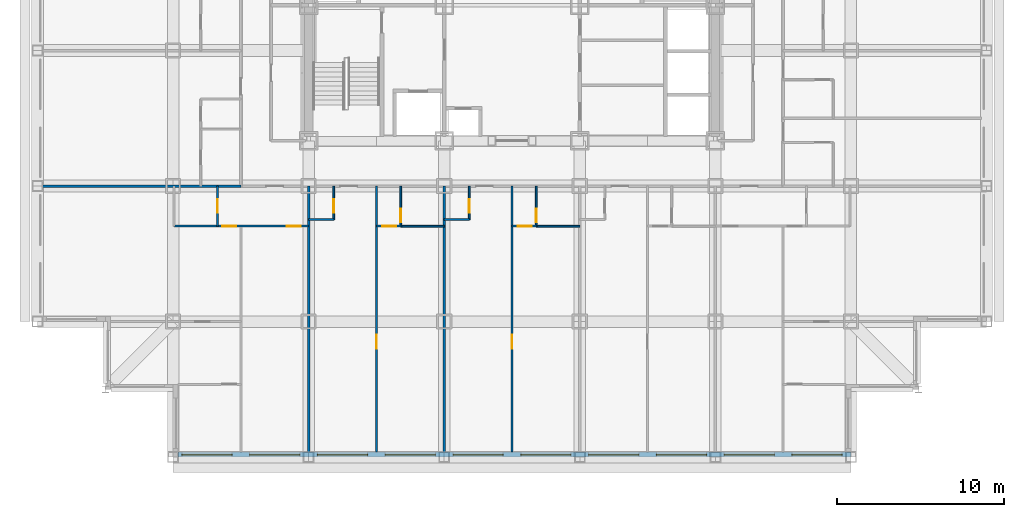
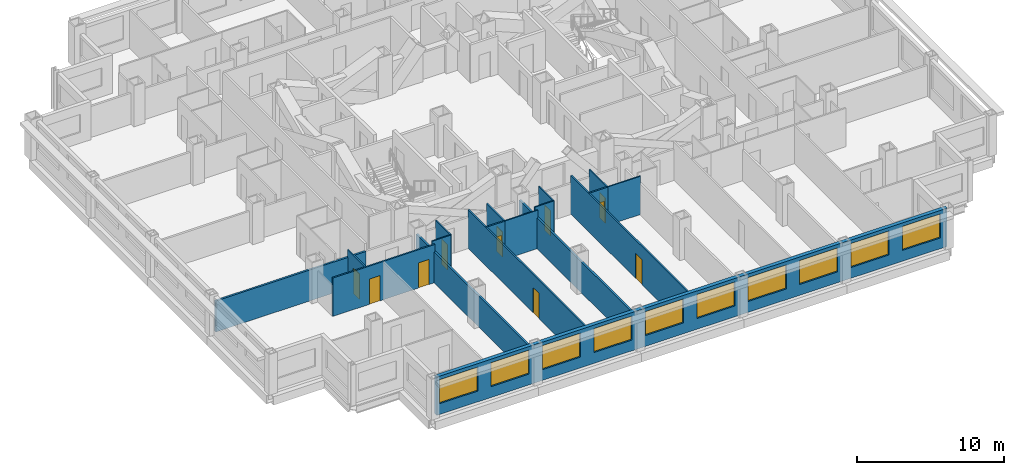
# One storey, part 4 of 12: 18 walls, 11 doors, 10 windows, 21 openings.
"""IFC4 building model written with IfcOpenShell, lengths in metres."""

import ifcopenshell
import ifcopenshell.guid

model = None  # the IFC model being written
_history = None  # IfcOwnerHistory: only IFC2X3 demands one
_inside = {}  # id of a spatial element -> (the spatial element, [elements in it])
_under = {}  # id of a project, library or spatial element -> (it, [spatial elements below it])
_declared = {}  # id of a project -> (the project, [libraries it declares])
_typed = {}  # id of a type object -> (the type object, [elements of that type])
_made_of = {}  # id of a material, layer set ... -> (it, [elements and type objects made of it])


def new_model(schema):
    """Start an empty IFC model of exactly this schema.

    Asked for "IFC4X3", IfcOpenShell would pick the latest addendum, in which some entities
    have other attributes; the version numbers below select the first issue.
    IFC2X3 requires an IfcOwnerHistory on every rooted entity: one is made here for all.
    """
    global model, _history
    if schema == "IFC4X3":
        model = ifcopenshell.file(schema_version=(4, 3, 0, 0))
    else:
        model = ifcopenshell.file(schema=schema)
    _inside.clear()
    _under.clear()
    _declared.clear()
    _typed.clear()
    _made_of.clear()
    _history = None
    if model.schema == "IFC2X3":
        org = make("IfcOrganization", Name="unknown")
        user = make(
            "IfcPersonAndOrganization",
            ThePerson=make("IfcPerson", FamilyName="unknown"),
            TheOrganization=org,
        )
        app = make(
            "IfcApplication",
            ApplicationDeveloper=org,
            Version="unknown",
            ApplicationFullName="unknown",
            ApplicationIdentifier="unknown",
        )
        _history = make(
            "IfcOwnerHistory",
            OwningUser=user,
            OwningApplication=app,
            ChangeAction="ADDED",
            CreationDate=0,
        )
    return model


def make(cls, **values):
    """One entity of the class cls with the attributes given. An attribute that is None is left unset."""
    return model.create_entity(
        cls, **{name: value for name, value in values.items() if value is not None}
    )


def rooted(cls, **values):
    """An entity with a GlobalId (a new one), such as an element, a storey or a relation."""
    return make(cls, GlobalId=ifcopenshell.guid.new(), OwnerHistory=_history, **values)


def si_unit(unit_type, name, prefix=None):
    """IfcSIUnit, for example si_unit("LENGTHUNIT", "METRE", prefix="MILLI")."""
    return make("IfcSIUnit", UnitType=unit_type, Prefix=prefix, Name=name)


def assignment(units):
    """IfcUnitAssignment: the units of a project."""
    return None if units is None else make("IfcUnitAssignment", Units=units)


def point(xyz):
    """IfcCartesianPoint."""
    return None if xyz is None else make("IfcCartesianPoint", Coordinates=xyz)


def direction(xyz):
    """IfcDirection."""
    return None if xyz is None else make("IfcDirection", DirectionRatios=xyz)


def frame(location, z_axis=None, x_axis=None):
    """IfcAxis2Placement3D, a coordinate frame: its origin and axes. An axis left out is left unset."""
    return make(
        "IfcAxis2Placement3D",
        Location=point(location),
        Axis=direction(z_axis),
        RefDirection=direction(x_axis),
    )


def frame_2d(location, x_axis=None):
    """IfcAxis2Placement2D, a coordinate frame in the plane: its origin and x axis."""
    return make(
        "IfcAxis2Placement2D", Location=point(location), RefDirection=direction(x_axis)
    )


def origin():
    """The frame at (0, 0, 0) with its axes left unset."""
    return frame((0.0, 0.0, 0.0))


def place(relative_to, where):
    """IfcLocalPlacement: puts the frame where relative to a parent placement (None: the world)."""
    return make(
        "IfcLocalPlacement", PlacementRelTo=relative_to, RelativePlacement=where
    )


def context(
    kind, dimensions, precision=None, world=None, true_north=None, identifier=None
):
    """IfcGeometricRepresentationContext, for example the 3D "Model" context."""
    return make(
        "IfcGeometricRepresentationContext",
        ContextIdentifier=identifier,
        ContextType=kind,
        CoordinateSpaceDimension=dimensions,
        Precision=precision,
        WorldCoordinateSystem=world,
        TrueNorth=true_north,
    )


def subcontext(parent, identifier, kind, view, scale=None):
    """IfcGeometricRepresentationSubContext, for example "Body" below "Model"."""
    return make(
        "IfcGeometricRepresentationSubContext",
        ContextIdentifier=identifier,
        ContextType=kind,
        ParentContext=parent,
        TargetScale=scale,
        TargetView=view,
    )


def project(units=None, contexts=None):
    """IfcProject with its units and contexts."""
    return rooted(
        "IfcProject",
        Name="project",
        RepresentationContexts=contexts,
        UnitsInContext=assignment(units),
    )


def spatial(cls, under=None, at=None, **own):
    """A site, building, storey or space (cls), placed at a placement, below another one or the project."""
    s = rooted(cls, ObjectPlacement=at, **own)
    if under is not None:
        _under.setdefault(under.id(), (under, []))[1].append(s)
    return s


def profile(cls, at=None, kind="AREA", **sizes):
    """A parametric profile (cls). Its sizes go by their IFC names, for example OverallWidth=200.0."""
    return make(cls, ProfileType=kind, Position=at, **sizes)


def rectangle(**sizes):
    """IfcRectangleProfileDef."""
    return profile("IfcRectangleProfileDef", **sizes)


def extrude(swept, where, along, depth):
    """IfcExtrudedAreaSolid: the profile swept, set in the frame where, extruded along a direction by depth."""
    return make(
        "IfcExtrudedAreaSolid",
        SweptArea=swept,
        Position=where,
        ExtrudedDirection=direction(along),
        Depth=depth,
    )


def shape(context_of_items, identifier, shape_type, items):
    """IfcShapeRepresentation: the items that make up one representation, for example the "Body"."""
    return make(
        "IfcShapeRepresentation",
        ContextOfItems=context_of_items,
        RepresentationIdentifier=identifier,
        RepresentationType=shape_type,
        Items=items,
    )


def material(Name=None, Category=None):
    """IfcMaterial."""
    return make("IfcMaterial", Name=Name, Category=Category)


def layer(
    of_material, thickness, ventilated=None, Name=None, Category=None, Priority=None
):
    """IfcMaterialLayer: one layer of a wall or slab, of a material (None: an air gap)."""
    return make(
        "IfcMaterialLayer",
        Material=of_material,
        LayerThickness=thickness,
        IsVentilated=ventilated,
        Name=Name,
        Category=Category,
        Priority=Priority,
    )


def layer_set(layers, Name=None):
    """IfcMaterialLayerSet."""
    return make("IfcMaterialLayerSet", MaterialLayers=layers, LayerSetName=Name)


def made_of(thing, what):
    """Note that an element or type object is made of a material, layer set ...; save() writes the relation."""
    if what is not None:
        _made_of.setdefault(what.id(), (what, []))[1].append(thing)
    return thing


def type_object(cls, material=None, **own):
    """A type object (cls), such as IfcWallType, which elements share."""
    return made_of(rooted(cls, **own), material)


def element(
    cls,
    number,
    at=None,
    inside=None,
    cuts=None,
    type_object=None,
    material=None,
    context=None,
    identifier="Body",
    shape_type=None,
    held_by="IfcProductDefinitionShape",
    body=None,
    shapes=None,
    **own,
):
    """One element of the class cls, such as IfcWall. Its Tag is "e" and its number.

    at: its placement. inside: the storey or other place that contains it. cuts: it is an
    opening in that element (IfcRelVoidsElement). A single representation is given by context,
    identifier, shape_type and body (its items); several are given by shapes. held_by: the class
    of the entity that holds the representations. save() writes the other relations.
    """
    e = rooted(cls, Tag="e%d" % number, ObjectPlacement=at, **own)
    if body is not None:
        shapes = [shape(context, identifier, shape_type, body)]
    if shapes is not None:
        e.Representation = make(held_by, Representations=shapes)
    if inside is not None:
        _inside.setdefault(inside.id(), (inside, []))[1].append(e)
    if cuts is not None:
        rooted(
            "IfcRelVoidsElement", RelatingBuildingElement=cuts, RelatedOpeningElement=e
        )
    if type_object is not None:
        _typed.setdefault(type_object.id(), (type_object, []))[1].append(e)
    return made_of(e, material)


def fill(opening, filler):
    """IfcRelFillsElement: the door or window that sits in an opening."""
    return rooted(
        "IfcRelFillsElement",
        RelatingOpeningElement=opening,
        RelatedBuildingElement=filler,
    )


def aggregate(whole, parts):
    """IfcRelAggregates: a whole, such as a stair, and the parts it consists of."""
    return rooted("IfcRelAggregates", RelatingObject=whole, RelatedObjects=parts)


def save(model, path):
    """Write the relations noted so far, then the file.

    IfcRelAggregates (storeys below a building ...), IfcRelContainedInSpatialStructure (elements
    in a storey), IfcRelDefinesByType, IfcRelAssociatesMaterial and IfcRelDeclares: one each for
    every whole, place, type object, material and project.
    """
    for whole, parts in _under.values():
        aggregate(whole, parts)
    for where, things in _inside.values():
        rooted(
            "IfcRelContainedInSpatialStructure",
            RelatedElements=things,
            RelatingStructure=where,
        )
    for kind, things in _typed.values():
        rooted("IfcRelDefinesByType", RelatedObjects=things, RelatingType=kind)
    for what, things in _made_of.values():
        rooted("IfcRelAssociatesMaterial", RelatedObjects=things, RelatingMaterial=what)
    for by, libraries in _declared.values():
        rooted("IfcRelDeclares", RelatingContext=by, RelatedDefinitions=libraries)
    model.write(path)


model = new_model("IFC4")

# Units and contexts
model_context = context("Model", 3, precision=1e-05, world=origin(), true_north=direction((0.0, 1.0)))
body_context = subcontext(model_context, "Body", "Model", "MODEL_VIEW")
ifc_project = project(units=[si_unit("LENGTHUNIT", "METRE"), si_unit("AREAUNIT", "SQUARE_METRE"), si_unit("VOLUMEUNIT", "CUBIC_METRE"), si_unit("PLANEANGLEUNIT", "RADIAN"), si_unit("MASSUNIT", "GRAM", prefix="KILO")], contexts=[model_context])

# Site, building, storey
site_placement = place(None, origin())
site = spatial("IfcSite", under=ifc_project, at=site_placement, CompositionType="ELEMENT")
building_placement = place(site_placement, origin())
building = spatial("IfcBuilding", under=site, at=building_placement, Name="Kopane Lantern Tower", CompositionType="ELEMENT")
storey_placement = place(building_placement, frame((0.0, 0.0, 103.39990234375)))
storey = spatial("IfcBuildingStorey", under=building, at=storey_placement, Name="L25", CompositionType="ELEMENT", Elevation=103.39990234375)

# Wall, opening, door
ifc_material_1 = material(Name="Gypsum board on steel studs", Category="steel")
ifc_layer_1 = layer(ifc_material_1, 0.1201171875)
ifc_layer_set_1 = layer_set([ifc_layer_1], Name="APARTMENT INTERNAL WALL 120")
wall_type_1 = type_object("IfcWallType", Name="APARTMENT INTERNAL WALL 120", PredefinedType="PARTITIONING", material=ifc_layer_set_1)
wall_1_placement = place(storey_placement, frame((20.25, 21.60009765625, 0.0), z_axis=(0.0, 0.0, 1.0), x_axis=(0.0, -1.0, 0.0)))
wall_1 = element("IfcWall", 1, at=wall_1_placement, inside=storey, type_object=wall_type_1, Name="Apartment Internal Wall 120 L25", PredefinedType="PARTITIONING", context=body_context, shape_type="SweptSolid", body=[
    extrude(rectangle(XDim=15.900146484375, YDim=0.1201171875, at=frame_2d((7.9501953125, 0.0))), origin(), (0.0, 0.0, 1.0), 3.190185546875),
])
opening_1_placement = place(wall_1_placement, frame((8.875, 0.0, 0.0)))
opening_1 = element("IfcOpeningElement", 2, at=opening_1_placement, cuts=wall_1, Name="Opening L25-012", PredefinedType="OPENING", context=body_context, shape_type="SweptSolid", body=[
    extrude(rectangle(XDim=0.85009765625, YDim=2.10009765625, at=frame_2d((0.425048828125, 1.050048828125))), frame((0.0, 0.070068359375, 0.0), z_axis=(0.0, -1.0, 0.0), x_axis=(1.0, 0.0, 0.0)), (0.0, 0.0, 1.0), 0.14013671875),
])
ifc_material_2 = material(Name="Timber door set", Category="wood")
door_type_1 = type_object("IfcDoorType", Name="DOOR D4 850x2100", OperationType="SINGLE_SWING_LEFT", PredefinedType="DOOR", material=ifc_material_2)
door_1_placement = place(opening_1_placement, origin())
door_1 = element("IfcDoor", 3, at=door_1_placement, inside=storey, type_object=door_type_1, Name="Door L25-012", OperationType="SINGLE_SWING_LEFT", OverallHeight=2.10009765625, OverallWidth=0.85009765625, PredefinedType="DOOR", context=body_context, shape_type="SweptSolid", body=[
    extrude(rectangle(XDim=0.85009765625, YDim=2.10009765625, at=frame_2d((0.425048828125, 1.050048828125))), frame((0.0, 0.02490234375, 0.0), z_axis=(0.0, -1.0, 0.0), x_axis=(1.0, 0.0, 0.0)), (0.0, 0.0, 1.0), 0.050048828125),
])
fill(opening_1, door_1)

wall_2_placement = place(storey_placement, frame((28.35009765625, 21.60009765625, 0.0), z_axis=(0.0, 0.0, 1.0), x_axis=(0.0, -1.0, 0.0)))
wall_2 = element("IfcWall", 4, at=wall_2_placement, inside=storey, type_object=wall_type_1, Name="Apartment Internal Wall 120 L25", PredefinedType="PARTITIONING", context=body_context, shape_type="SweptSolid", body=[
    extrude(rectangle(XDim=15.900146484375, YDim=0.1201171875, at=frame_2d((7.9501953125, 0.0))), origin(), (0.0, 0.0, 1.0), 3.190185546875),
])
opening_2_placement = place(wall_2_placement, frame((8.875, 0.0, 0.0)))
opening_2 = element("IfcOpeningElement", 5, at=opening_2_placement, cuts=wall_2, Name="Opening L25-016", PredefinedType="OPENING", context=body_context, shape_type="SweptSolid", body=[
    extrude(rectangle(XDim=0.85009765625, YDim=2.10009765625, at=frame_2d((0.425048828125, 1.050048828125))), frame((0.0, 0.070068359375, 0.0), z_axis=(0.0, -1.0, 0.0), x_axis=(1.0, 0.0, 0.0)), (0.0, 0.0, 1.0), 0.14013671875),
])
door_2_placement = place(opening_2_placement, origin())
door_2 = element("IfcDoor", 6, at=door_2_placement, inside=storey, type_object=door_type_1, Name="Door L25-016", OperationType="SINGLE_SWING_LEFT", OverallHeight=2.10009765625, OverallWidth=0.85009765625, PredefinedType="DOOR", context=body_context, shape_type="SweptSolid", body=[
    extrude(rectangle(XDim=0.85009765625, YDim=2.10009765625, at=frame_2d((0.425048828125, 1.050048828125))), frame((0.0, 0.02490234375, 0.0), z_axis=(0.0, -1.0, 0.0), x_axis=(1.0, 0.0, 0.0)), (0.0, 0.0, 1.0), 0.050048828125),
])
fill(opening_2, door_2)

# Wall, openings, doors
wall_3_placement = place(storey_placement, frame((8.14990234375, 19.199951171875, 0.0), z_axis=(0.0, 0.0, 1.0), x_axis=(1.0, 0.0, 0.0)))
wall_3 = element("IfcWall", 7, at=wall_3_placement, inside=storey, type_object=wall_type_1, Name="Apartment Internal Wall 120 L25", PredefinedType="PARTITIONING", context=body_context, shape_type="SweptSolid", body=[
    extrude(rectangle(XDim=8.050048828125, YDim=0.1201171875, at=frame_2d((4.02490234375, 0.0))), origin(), (0.0, 0.0, 1.0), 3.190185546875),
])
opening_3_placement = place(wall_3_placement, frame((6.72509765625, 0.0, 0.0)))
opening_3 = element("IfcOpeningElement", 8, at=opening_3_placement, cuts=wall_3, Name="Opening L25-050", PredefinedType="OPENING", context=body_context, shape_type="SweptSolid", body=[
    extrude(rectangle(XDim=0.85009765625, YDim=2.10009765625, at=frame_2d((0.425048828125, 1.050048828125))), frame((0.0, 0.070068359375, 0.0), z_axis=(0.0, -1.0, 0.0), x_axis=(1.0, 0.0, 0.0)), (0.0, 0.0, 1.0), 0.14013671875),
])
opening_4_placement = place(wall_3_placement, frame((2.875, 0.0, 0.0)))
opening_4 = element("IfcOpeningElement", 9, at=opening_4_placement, cuts=wall_3, Name="Opening L25-052", PredefinedType="OPENING", context=body_context, shape_type="SweptSolid", body=[
    extrude(rectangle(XDim=0.85009765625, YDim=2.10009765625, at=frame_2d((0.425048828125, 1.050048828125))), frame((0.0, 0.070068359375, 0.0), z_axis=(0.0, -1.0, 0.0), x_axis=(1.0, 0.0, 0.0)), (0.0, 0.0, 1.0), 0.14013671875),
])
door_3_placement = place(opening_3_placement, origin())
door_3 = element("IfcDoor", 10, at=door_3_placement, inside=storey, type_object=door_type_1, Name="Door L25-050", OperationType="SINGLE_SWING_RIGHT", OverallHeight=2.10009765625, OverallWidth=0.85009765625, PredefinedType="DOOR", context=body_context, shape_type="SweptSolid", body=[
    extrude(rectangle(XDim=0.85009765625, YDim=2.10009765625, at=frame_2d((0.425048828125, 1.050048828125))), frame((0.0, 0.02490234375, 0.0), z_axis=(0.0, -1.0, 0.0), x_axis=(1.0, 0.0, 0.0)), (0.0, 0.0, 1.0), 0.050048828125),
])
fill(opening_3, door_3)
door_4_placement = place(opening_4_placement, origin())
door_4 = element("IfcDoor", 11, at=door_4_placement, inside=storey, type_object=door_type_1, Name="Door L25-052", OperationType="SINGLE_SWING_LEFT", OverallHeight=2.10009765625, OverallWidth=0.85009765625, PredefinedType="DOOR", context=body_context, shape_type="SweptSolid", body=[
    extrude(rectangle(XDim=0.85009765625, YDim=2.10009765625, at=frame_2d((0.425048828125, 1.050048828125))), frame((0.0, 0.02490234375, 0.0), z_axis=(0.0, -1.0, 0.0), x_axis=(1.0, 0.0, 0.0)), (0.0, 0.0, 1.0), 0.050048828125),
])
fill(opening_4, door_4)

# Wall, opening, door
wall_4_placement = place(storey_placement, frame((21.7099609375, 19.199951171875, 0.0), z_axis=(0.0, 0.0, 1.0), x_axis=(-1.0, 0.0, 0.0)))
wall_4 = element("IfcWall", 12, at=wall_4_placement, inside=storey, type_object=wall_type_1, Name="Apartment Internal Wall 120 L25", PredefinedType="PARTITIONING", context=body_context, shape_type="SweptSolid", body=[
    extrude(rectangle(XDim=1.4599609375, YDim=0.1201171875, at=frame_2d((0.72998046875, 0.0))), origin(), (0.0, 0.0, 1.0), 3.190185546875),
])
opening_5_placement = place(wall_4_placement, frame((0.27490234375, 0.0, 0.0)))
opening_5 = element("IfcOpeningElement", 13, at=opening_5_placement, cuts=wall_4, Name="Opening L25-067", PredefinedType="OPENING", context=body_context, shape_type="SweptSolid", body=[
    extrude(rectangle(XDim=0.85009765625, YDim=2.10009765625, at=frame_2d((0.425048828125, 1.050048828125))), frame((0.0, 0.070068359375, 0.0), z_axis=(0.0, -1.0, 0.0), x_axis=(1.0, 0.0, 0.0)), (0.0, 0.0, 1.0), 0.14013671875),
])
door_5_placement = place(opening_5_placement, origin())
door_5 = element("IfcDoor", 14, at=door_5_placement, inside=storey, type_object=door_type_1, Name="Door L25-067", OperationType="SINGLE_SWING_RIGHT", OverallHeight=2.10009765625, OverallWidth=0.85009765625, PredefinedType="DOOR", context=body_context, shape_type="SweptSolid", body=[
    extrude(rectangle(XDim=0.85009765625, YDim=2.10009765625, at=frame_2d((0.425048828125, 1.050048828125))), frame((0.0, 0.02490234375, 0.0), z_axis=(0.0, -1.0, 0.0), x_axis=(1.0, 0.0, 0.0)), (0.0, 0.0, 1.0), 0.050048828125),
])
fill(opening_5, door_5)

wall_5_placement = place(storey_placement, frame((29.81005859375, 19.199951171875, 0.0), z_axis=(0.0, 0.0, 1.0), x_axis=(-1.0, 0.0, 0.0)))
wall_5 = element("IfcWall", 15, at=wall_5_placement, inside=storey, type_object=wall_type_1, Name="Apartment Internal Wall 120 L25", PredefinedType="PARTITIONING", context=body_context, shape_type="SweptSolid", body=[
    extrude(rectangle(XDim=1.4599609375, YDim=0.1201171875, at=frame_2d((0.72998046875, 0.0))), origin(), (0.0, 0.0, 1.0), 3.190185546875),
])
opening_6_placement = place(wall_5_placement, frame((0.27490234375, 0.0, 0.0)))
opening_6 = element("IfcOpeningElement", 16, at=opening_6_placement, cuts=wall_5, Name="Opening L25-068", PredefinedType="OPENING", context=body_context, shape_type="SweptSolid", body=[
    extrude(rectangle(XDim=0.85009765625, YDim=2.10009765625, at=frame_2d((0.425048828125, 1.050048828125))), frame((0.0, 0.070068359375, 0.0), z_axis=(0.0, -1.0, 0.0), x_axis=(1.0, 0.0, 0.0)), (0.0, 0.0, 1.0), 0.14013671875),
])
door_6_placement = place(opening_6_placement, origin())
door_6 = element("IfcDoor", 17, at=door_6_placement, inside=storey, type_object=door_type_1, Name="Door L25-068", OperationType="SINGLE_SWING_RIGHT", OverallHeight=2.10009765625, OverallWidth=0.85009765625, PredefinedType="DOOR", context=body_context, shape_type="SweptSolid", body=[
    extrude(rectangle(XDim=0.85009765625, YDim=2.10009765625, at=frame_2d((0.425048828125, 1.050048828125))), frame((0.0, 0.02490234375, 0.0), z_axis=(0.0, -1.0, 0.0), x_axis=(1.0, 0.0, 0.0)), (0.0, 0.0, 1.0), 0.050048828125),
])
fill(opening_6, door_6)

# Wall
ifc_material_3 = material(Name="Moisture-resistant board on steel studs", Category="steel")
ifc_layer_2 = layer(ifc_material_3, 0.10009765625)
ifc_layer_set_2 = layer_set([ifc_layer_2], Name="BATHROOM WALL 100")
wall_type_2 = type_object("IfcWallType", Name="BATHROOM WALL 100", PredefinedType="PARTITIONING", material=ifc_layer_set_2)
wall_6_placement = place(storey_placement, frame((16.199951171875, 19.60009765625, 0.0), z_axis=(0.0, 0.0, 1.0), x_axis=(1.0, 0.0, 0.0)))
element("IfcWall", 18, at=wall_6_placement, inside=storey, type_object=wall_type_2, Name="Bathroom Wall 100 L25", PredefinedType="PARTITIONING", context=body_context, shape_type="SweptSolid", body=[
    extrude(rectangle(XDim=1.5, YDim=0.10009765625, at=frame_2d((0.75, 0.0))), origin(), (0.0, 0.0, 1.0), 3.190185546875),
])

# Wall, opening, door
wall_7_placement = place(storey_placement, frame((17.699951171875, 21.60009765625, 0.0), z_axis=(0.0, 0.0, 1.0), x_axis=(0.0, -1.0, 0.0)))
wall_7 = element("IfcWall", 19, at=wall_7_placement, inside=storey, type_object=wall_type_2, Name="Bathroom Wall 100 L25", PredefinedType="PARTITIONING", context=body_context, shape_type="SweptSolid", body=[
    extrude(rectangle(XDim=2.0, YDim=0.10009765625, at=frame_2d((1.0, 0.0))), origin(), (0.0, 0.0, 1.0), 3.190185546875),
])
opening_7_placement = place(wall_7_placement, frame((0.800048828125, 0.0, 0.0)))
opening_7 = element("IfcOpeningElement", 20, at=opening_7_placement, cuts=wall_7, Name="Opening L25-009", PredefinedType="OPENING", context=body_context, shape_type="SweptSolid", body=[
    extrude(rectangle(XDim=0.800048828125, YDim=2.10009765625, at=frame_2d((0.39990234375, 1.050048828125))), frame((0.0, 0.06005859375, 0.0), z_axis=(0.0, -1.0, 0.0), x_axis=(1.0, 0.0, 0.0)), (0.0, 0.0, 1.0), 0.1201171875),
])
ifc_material_4 = material(Name="Timber door set", Category="wood")
door_type_2 = type_object("IfcDoorType", Name="DOOR D2 800x2100", OperationType="SINGLE_SWING_LEFT", PredefinedType="DOOR", material=ifc_material_4)
door_7_placement = place(opening_7_placement, origin())
door_7 = element("IfcDoor", 21, at=door_7_placement, inside=storey, type_object=door_type_2, Name="Door L25-009", OperationType="SINGLE_SWING_LEFT", OverallHeight=2.10009765625, OverallWidth=0.800048828125, PredefinedType="DOOR", context=body_context, shape_type="SweptSolid", body=[
    extrude(rectangle(XDim=0.800048828125, YDim=2.10009765625, at=frame_2d((0.39990234375, 1.050048828125))), frame((0.0, 0.02490234375, 0.0), z_axis=(0.0, -1.0, 0.0), x_axis=(1.0, 0.0, 0.0)), (0.0, 0.0, 1.0), 0.050048828125),
])
fill(opening_7, door_7)

# Wall
wall_8_placement = place(storey_placement, frame((21.699951171875, 19.199951171875, 0.0), z_axis=(0.0, 0.0, 1.0), x_axis=(1.0, 0.0, 0.0)))
element("IfcWall", 22, at=wall_8_placement, inside=storey, type_object=wall_type_2, Name="Bathroom Wall 100 L25", PredefinedType="PARTITIONING", context=body_context, shape_type="SweptSolid", body=[
    extrude(rectangle(XDim=2.60009765625, YDim=0.10009765625, at=frame_2d((1.300048828125, 0.0))), origin(), (0.0, 0.0, 1.0), 3.190185546875),
])

# Wall, opening, door
wall_9_placement = place(storey_placement, frame((21.699951171875, 21.60009765625, 0.0), z_axis=(0.0, 0.0, 1.0), x_axis=(0.0, -1.0, 0.0)))
wall_9 = element("IfcWall", 23, at=wall_9_placement, inside=storey, type_object=wall_type_2, Name="Bathroom Wall 100 L25", PredefinedType="PARTITIONING", context=body_context, shape_type="SweptSolid", body=[
    extrude(rectangle(XDim=2.400146484375, YDim=0.10009765625, at=frame_2d((1.2001953125, 0.0))), origin(), (0.0, 0.0, 1.0), 3.190185546875),
])
opening_8_placement = place(wall_9_placement, frame((1.35009765625, 0.0, 0.0)))
opening_8 = element("IfcOpeningElement", 24, at=opening_8_placement, cuts=wall_9, Name="Opening L25-011", PredefinedType="OPENING", context=body_context, shape_type="SweptSolid", body=[
    extrude(rectangle(XDim=0.800048828125, YDim=2.10009765625, at=frame_2d((0.39990234375, 1.050048828125))), frame((0.0, 0.06005859375, 0.0), z_axis=(0.0, -1.0, 0.0), x_axis=(1.0, 0.0, 0.0)), (0.0, 0.0, 1.0), 0.1201171875),
])
door_8_placement = place(opening_8_placement, origin())
door_8 = element("IfcDoor", 25, at=door_8_placement, inside=storey, type_object=door_type_2, Name="Door L25-011", OperationType="SINGLE_SWING_LEFT", OverallHeight=2.10009765625, OverallWidth=0.800048828125, PredefinedType="DOOR", context=body_context, shape_type="SweptSolid", body=[
    extrude(rectangle(XDim=0.800048828125, YDim=2.10009765625, at=frame_2d((0.39990234375, 1.050048828125))), frame((0.0, 0.02490234375, 0.0), z_axis=(0.0, -1.0, 0.0), x_axis=(1.0, 0.0, 0.0)), (0.0, 0.0, 1.0), 0.050048828125),
])
fill(opening_8, door_8)

# Wall
wall_10_placement = place(storey_placement, frame((24.300048828125, 19.60009765625, 0.0), z_axis=(0.0, 0.0, 1.0), x_axis=(1.0, 0.0, 0.0)))
element("IfcWall", 26, at=wall_10_placement, inside=storey, type_object=wall_type_2, Name="Bathroom Wall 100 L25", PredefinedType="PARTITIONING", context=body_context, shape_type="SweptSolid", body=[
    extrude(rectangle(XDim=1.5, YDim=0.10009765625, at=frame_2d((0.75, 0.0))), origin(), (0.0, 0.0, 1.0), 3.190185546875),
])

# Wall, opening, door
wall_11_placement = place(storey_placement, frame((25.800048828125, 21.60009765625, 0.0), z_axis=(0.0, 0.0, 1.0), x_axis=(0.0, -1.0, 0.0)))
wall_11 = element("IfcWall", 27, at=wall_11_placement, inside=storey, type_object=wall_type_2, Name="Bathroom Wall 100 L25", PredefinedType="PARTITIONING", context=body_context, shape_type="SweptSolid", body=[
    extrude(rectangle(XDim=2.0, YDim=0.10009765625, at=frame_2d((1.0, 0.0))), origin(), (0.0, 0.0, 1.0), 3.190185546875),
])
opening_9_placement = place(wall_11_placement, frame((0.800048828125, 0.0, 0.0)))
opening_9 = element("IfcOpeningElement", 28, at=opening_9_placement, cuts=wall_11, Name="Opening L25-013", PredefinedType="OPENING", context=body_context, shape_type="SweptSolid", body=[
    extrude(rectangle(XDim=0.800048828125, YDim=2.10009765625, at=frame_2d((0.39990234375, 1.050048828125))), frame((0.0, 0.06005859375, 0.0), z_axis=(0.0, -1.0, 0.0), x_axis=(1.0, 0.0, 0.0)), (0.0, 0.0, 1.0), 0.1201171875),
])
door_9_placement = place(opening_9_placement, origin())
door_9 = element("IfcDoor", 29, at=door_9_placement, inside=storey, type_object=door_type_2, Name="Door L25-013", OperationType="SINGLE_SWING_LEFT", OverallHeight=2.10009765625, OverallWidth=0.800048828125, PredefinedType="DOOR", context=body_context, shape_type="SweptSolid", body=[
    extrude(rectangle(XDim=0.800048828125, YDim=2.10009765625, at=frame_2d((0.39990234375, 1.050048828125))), frame((0.0, 0.02490234375, 0.0), z_axis=(0.0, -1.0, 0.0), x_axis=(1.0, 0.0, 0.0)), (0.0, 0.0, 1.0), 0.050048828125),
])
fill(opening_9, door_9)

# Wall
wall_12_placement = place(storey_placement, frame((29.800048828125, 19.199951171875, 0.0), z_axis=(0.0, 0.0, 1.0), x_axis=(1.0, 0.0, 0.0)))
element("IfcWall", 30, at=wall_12_placement, inside=storey, type_object=wall_type_2, Name="Bathroom Wall 100 L25", PredefinedType="PARTITIONING", context=body_context, shape_type="SweptSolid", body=[
    extrude(rectangle(XDim=2.599853515625, YDim=0.10009765625, at=frame_2d((1.2998046875, 0.0))), origin(), (0.0, 0.0, 1.0), 3.190185546875),
])

# Wall, opening, door
wall_13_placement = place(storey_placement, frame((29.800048828125, 21.60009765625, 0.0), z_axis=(0.0, 0.0, 1.0), x_axis=(0.0, -1.0, 0.0)))
wall_13 = element("IfcWall", 31, at=wall_13_placement, inside=storey, type_object=wall_type_2, Name="Bathroom Wall 100 L25", PredefinedType="PARTITIONING", context=body_context, shape_type="SweptSolid", body=[
    extrude(rectangle(XDim=2.400146484375, YDim=0.10009765625, at=frame_2d((1.2001953125, 0.0))), origin(), (0.0, 0.0, 1.0), 3.190185546875),
])
opening_10_placement = place(wall_13_placement, frame((1.35009765625, 0.0, 0.0)))
opening_10 = element("IfcOpeningElement", 32, at=opening_10_placement, cuts=wall_13, Name="Opening L25-015", PredefinedType="OPENING", context=body_context, shape_type="SweptSolid", body=[
    extrude(rectangle(XDim=0.800048828125, YDim=2.10009765625, at=frame_2d((0.39990234375, 1.050048828125))), frame((0.0, 0.06005859375, 0.0), z_axis=(0.0, -1.0, 0.0), x_axis=(1.0, 0.0, 0.0)), (0.0, 0.0, 1.0), 0.1201171875),
])
door_10_placement = place(opening_10_placement, origin())
door_10 = element("IfcDoor", 33, at=door_10_placement, inside=storey, type_object=door_type_2, Name="Door L25-015", OperationType="SINGLE_SWING_LEFT", OverallHeight=2.10009765625, OverallWidth=0.800048828125, PredefinedType="DOOR", context=body_context, shape_type="SweptSolid", body=[
    extrude(rectangle(XDim=0.800048828125, YDim=2.10009765625, at=frame_2d((0.39990234375, 1.050048828125))), frame((0.0, 0.02490234375, 0.0), z_axis=(0.0, -1.0, 0.0), x_axis=(1.0, 0.0, 0.0)), (0.0, 0.0, 1.0), 0.050048828125),
])
fill(opening_10, door_10)

wall_14_placement = place(storey_placement, frame((10.75, 21.60009765625, 0.0), z_axis=(0.0, 0.0, 1.0), x_axis=(0.0, -1.0, 0.0)))
wall_14 = element("IfcWall", 34, at=wall_14_placement, inside=storey, type_object=wall_type_2, Name="Bathroom Wall 100 L25", PredefinedType="PARTITIONING", context=body_context, shape_type="SweptSolid", body=[
    extrude(rectangle(XDim=2.400146484375, YDim=0.10009765625, at=frame_2d((1.2001953125, 0.0))), origin(), (0.0, 0.0, 1.0), 3.190185546875),
])
opening_11_placement = place(wall_14_placement, frame((0.800048828125, 0.0, 0.0)))
opening_11 = element("IfcOpeningElement", 35, at=opening_11_placement, cuts=wall_14, Name="Opening L25-051", PredefinedType="OPENING", context=body_context, shape_type="SweptSolid", body=[
    extrude(rectangle(XDim=0.800048828125, YDim=2.10009765625, at=frame_2d((0.39990234375, 1.050048828125))), frame((0.0, 0.06005859375, 0.0), z_axis=(0.0, -1.0, 0.0), x_axis=(1.0, 0.0, 0.0)), (0.0, 0.0, 1.0), 0.1201171875),
])
door_11_placement = place(opening_11_placement, origin())
door_11 = element("IfcDoor", 36, at=door_11_placement, inside=storey, type_object=door_type_2, Name="Door L25-051", OperationType="SINGLE_SWING_RIGHT", OverallHeight=2.10009765625, OverallWidth=0.800048828125, PredefinedType="DOOR", context=body_context, shape_type="SweptSolid", body=[
    extrude(rectangle(XDim=0.800048828125, YDim=2.10009765625, at=frame_2d((0.39990234375, 1.050048828125))), frame((0.0, 0.02490234375, 0.0), z_axis=(0.0, -1.0, 0.0), x_axis=(1.0, 0.0, 0.0)), (0.0, 0.0, 1.0), 0.050048828125),
])
fill(opening_11, door_11)

# Walls
ifc_material_5 = material(Name="Gypsum board on steel studs", Category="steel")
ifc_layer_3 = layer(ifc_material_5, 0.14990234375)
ifc_layer_set_3 = layer_set([ifc_layer_3], Name="DEMISING WALL 150 EI 60")
wall_type_3 = type_object("IfcWallType", Name="DEMISING WALL 150 EI 60", PredefinedType="PARTITIONING", material=ifc_layer_set_3)
wall_15_placement = place(storey_placement, frame((24.300048828125, 21.60009765625, 0.0), z_axis=(0.0, 0.0, 1.0), x_axis=(0.0, -1.0, 0.0)))
element("IfcWall", 37, at=wall_15_placement, inside=storey, type_object=wall_type_3, Name="Demising Wall 150 Ei 60 L25", PredefinedType="PARTITIONING", context=body_context, shape_type="SweptSolid", body=[
    extrude(rectangle(XDim=15.900146484375, YDim=0.14990234375, at=frame_2d((7.9501953125, 0.0))), origin(), (0.0, 0.0, 1.0), 2.577880859375),
])
wall_16_placement = place(storey_placement, frame((0.300048828125, 21.60009765625, 0.0), z_axis=(0.0, 0.0, 1.0), x_axis=(1.0, 0.0, 0.0)))
element("IfcWall", 38, at=wall_16_placement, inside=storey, type_object=wall_type_3, Name="Demising Wall 150 Ei 60 L25", PredefinedType="PARTITIONING", context=body_context, shape_type="SweptSolid", body=[
    extrude(rectangle(XDim=11.849853515625, YDim=0.14990234375, at=frame_2d((5.9248046875, 0.0))), origin(), (0.0, 0.0, 1.0), 2.577880859375),
])
wall_17_placement = place(storey_placement, frame((16.199951171875, 21.60009765625, 0.0), z_axis=(0.0, 0.0, 1.0), x_axis=(0.0, -1.0, 0.0)))
element("IfcWall", 39, at=wall_17_placement, inside=storey, type_object=wall_type_3, Name="Demising Wall 150 Ei 60 L25", PredefinedType="PARTITIONING", context=body_context, shape_type="SweptSolid", body=[
    extrude(rectangle(XDim=15.900146484375, YDim=0.14990234375, at=frame_2d((7.9501953125, 0.0))), origin(), (0.0, 0.0, 1.0), 2.577880859375),
])

# Wall, openings, windows
ifc_material_6 = material(Name="Terracotta rainscreen on light steel framing", Category="masonry")
ifc_layer_4 = layer(ifc_material_6, 0.300048828125)
ifc_layer_set_4 = layer_set([ifc_layer_4], Name="EXTERNAL WALL EW1 300 TERRACOTTA")
wall_type_4 = type_object("IfcWallType", Name="EXTERNAL WALL EW1 300 TERRACOTTA", PredefinedType="SOLIDWALL", material=ifc_layer_set_4)
wall_18_placement = place(storey_placement, frame((8.39990234375, 5.550048828125, 0.0), z_axis=(0.0, 0.0, 1.0), x_axis=(1.0, 0.0, 0.0)))
wall_18 = element("IfcWall", 40, at=wall_18_placement, inside=storey, type_object=wall_type_4, Name="External wall S L25", PredefinedType="SOLIDWALL", context=body_context, shape_type="SweptSolid", body=[
    extrude(rectangle(XDim=40.2001953125, YDim=0.300048828125, at=frame_2d((20.10009765625, 0.0))), origin(), (0.0, 0.0, 1.0), 3.190185546875),
])
opening_12_placement = place(wall_18_placement, frame((0.22509765625, 0.0, 0.89990234375)))
opening_12 = element("IfcOpeningElement", 41, at=opening_12_placement, cuts=wall_18, Name="Opening WR300200", PredefinedType="OPENING", context=body_context, shape_type="SweptSolid", body=[
    extrude(rectangle(XDim=3.0, YDim=2.0, at=frame_2d((1.5, 1.0))), frame((0.0, 0.159912109375, 0.0), z_axis=(0.0, -1.0, 0.0), x_axis=(1.0, 0.0, 0.0)), (0.0, 0.0, 1.0), 0.320068359375),
])
opening_13_placement = place(wall_18_placement, frame((4.27490234375, 0.0, 0.89990234375)))
opening_13 = element("IfcOpeningElement", 42, at=opening_13_placement, cuts=wall_18, Name="Opening WR300200", PredefinedType="OPENING", context=body_context, shape_type="SweptSolid", body=[
    extrude(rectangle(XDim=3.0, YDim=2.0, at=frame_2d((1.5, 1.0))), frame((0.0, 0.159912109375, 0.0), z_axis=(0.0, -1.0, 0.0), x_axis=(1.0, 0.0, 0.0)), (0.0, 0.0, 1.0), 0.320068359375),
])
opening_14_placement = place(wall_18_placement, frame((8.324951171875, 0.0, 0.89990234375)))
opening_14 = element("IfcOpeningElement", 43, at=opening_14_placement, cuts=wall_18, Name="Opening WR300200", PredefinedType="OPENING", context=body_context, shape_type="SweptSolid", body=[
    extrude(rectangle(XDim=3.0, YDim=2.0, at=frame_2d((1.5, 1.0))), frame((0.0, 0.159912109375, 0.0), z_axis=(0.0, -1.0, 0.0), x_axis=(1.0, 0.0, 0.0)), (0.0, 0.0, 1.0), 0.320068359375),
])
opening_15_placement = place(wall_18_placement, frame((12.375, 0.0, 0.89990234375)))
opening_15 = element("IfcOpeningElement", 44, at=opening_15_placement, cuts=wall_18, Name="Opening WR300200", PredefinedType="OPENING", context=body_context, shape_type="SweptSolid", body=[
    extrude(rectangle(XDim=3.0, YDim=2.0, at=frame_2d((1.5, 1.0))), frame((0.0, 0.159912109375, 0.0), z_axis=(0.0, -1.0, 0.0), x_axis=(1.0, 0.0, 0.0)), (0.0, 0.0, 1.0), 0.320068359375),
])
opening_16_placement = place(wall_18_placement, frame((16.425048828125, 0.0, 0.89990234375)))
opening_16 = element("IfcOpeningElement", 45, at=opening_16_placement, cuts=wall_18, Name="Opening WR300200", PredefinedType="OPENING", context=body_context, shape_type="SweptSolid", body=[
    extrude(rectangle(XDim=3.0, YDim=2.0, at=frame_2d((1.5, 1.0))), frame((0.0, 0.159912109375, 0.0), z_axis=(0.0, -1.0, 0.0), x_axis=(1.0, 0.0, 0.0)), (0.0, 0.0, 1.0), 0.320068359375),
])
opening_17_placement = place(wall_18_placement, frame((20.47509765625, 0.0, 0.89990234375)))
opening_17 = element("IfcOpeningElement", 46, at=opening_17_placement, cuts=wall_18, Name="Opening WR300200", PredefinedType="OPENING", context=body_context, shape_type="SweptSolid", body=[
    extrude(rectangle(XDim=3.0, YDim=2.0, at=frame_2d((1.5, 1.0))), frame((0.0, 0.159912109375, 0.0), z_axis=(0.0, -1.0, 0.0), x_axis=(1.0, 0.0, 0.0)), (0.0, 0.0, 1.0), 0.320068359375),
])
opening_18_placement = place(wall_18_placement, frame((24.52490234375, 0.0, 0.89990234375)))
opening_18 = element("IfcOpeningElement", 47, at=opening_18_placement, cuts=wall_18, Name="Opening WR300200", PredefinedType="OPENING", context=body_context, shape_type="SweptSolid", body=[
    extrude(rectangle(XDim=3.0, YDim=2.0, at=frame_2d((1.5, 1.0))), frame((0.0, 0.159912109375, 0.0), z_axis=(0.0, -1.0, 0.0), x_axis=(1.0, 0.0, 0.0)), (0.0, 0.0, 1.0), 0.320068359375),
])
opening_19_placement = place(wall_18_placement, frame((28.574951171875, 0.0, 0.89990234375)))
opening_19 = element("IfcOpeningElement", 48, at=opening_19_placement, cuts=wall_18, Name="Opening WR300200", PredefinedType="OPENING", context=body_context, shape_type="SweptSolid", body=[
    extrude(rectangle(XDim=3.0, YDim=2.0, at=frame_2d((1.5, 1.0))), frame((0.0, 0.159912109375, 0.0), z_axis=(0.0, -1.0, 0.0), x_axis=(1.0, 0.0, 0.0)), (0.0, 0.0, 1.0), 0.320068359375),
])
opening_20_placement = place(wall_18_placement, frame((32.625, 0.0, 0.89990234375)))
opening_20 = element("IfcOpeningElement", 49, at=opening_20_placement, cuts=wall_18, Name="Opening WR300200", PredefinedType="OPENING", context=body_context, shape_type="SweptSolid", body=[
    extrude(rectangle(XDim=3.0, YDim=2.0, at=frame_2d((1.5, 1.0))), frame((0.0, 0.159912109375, 0.0), z_axis=(0.0, -1.0, 0.0), x_axis=(1.0, 0.0, 0.0)), (0.0, 0.0, 1.0), 0.320068359375),
])
opening_21_placement = place(wall_18_placement, frame((36.675048828125, 0.0, 0.89990234375)))
opening_21 = element("IfcOpeningElement", 50, at=opening_21_placement, cuts=wall_18, Name="Opening WR300200", PredefinedType="OPENING", context=body_context, shape_type="SweptSolid", body=[
    extrude(rectangle(XDim=3.0, YDim=2.0, at=frame_2d((1.5, 1.0))), frame((0.0, 0.159912109375, 0.0), z_axis=(0.0, -1.0, 0.0), x_axis=(1.0, 0.0, 0.0)), (0.0, 0.0, 1.0), 0.320068359375),
])
ifc_material_7 = material(Name="Aluminium and clear glass", Category="aluminium")
window_type = type_object("IfcWindowType", Name="RIBBON WINDOW WR300200 3000x2000", PartitioningType="SINGLE_PANEL", PredefinedType="WINDOW", material=ifc_material_7)
window_1_placement = place(opening_12_placement, origin())
window_1 = element("IfcWindow", 51, at=window_1_placement, inside=storey, type_object=window_type, Name="Window S L25", OverallHeight=2.0, OverallWidth=3.0, PartitioningType="SINGLE_PANEL", PredefinedType="WINDOW", context=body_context, shape_type="SweptSolid", body=[
    extrude(rectangle(XDim=3.0, YDim=2.0, at=frame_2d((1.5, 1.0))), frame((0.0, 0.030029296875, 0.0), z_axis=(0.0, -1.0, 0.0), x_axis=(1.0, 0.0, 0.0)), (0.0, 0.0, 1.0), 0.06005859375),
])
fill(opening_12, window_1)
window_2_placement = place(opening_13_placement, origin())
window_2 = element("IfcWindow", 52, at=window_2_placement, inside=storey, type_object=window_type, Name="Window S L25", OverallHeight=2.0, OverallWidth=3.0, PartitioningType="SINGLE_PANEL", PredefinedType="WINDOW", context=body_context, shape_type="SweptSolid", body=[
    extrude(rectangle(XDim=3.0, YDim=2.0, at=frame_2d((1.5, 1.0))), frame((0.0, 0.030029296875, 0.0), z_axis=(0.0, -1.0, 0.0), x_axis=(1.0, 0.0, 0.0)), (0.0, 0.0, 1.0), 0.06005859375),
])
fill(opening_13, window_2)
window_3_placement = place(opening_14_placement, origin())
window_3 = element("IfcWindow", 53, at=window_3_placement, inside=storey, type_object=window_type, Name="Window S L25", OverallHeight=2.0, OverallWidth=3.0, PartitioningType="SINGLE_PANEL", PredefinedType="WINDOW", context=body_context, shape_type="SweptSolid", body=[
    extrude(rectangle(XDim=3.0, YDim=2.0, at=frame_2d((1.5, 1.0))), frame((0.0, 0.030029296875, 0.0), z_axis=(0.0, -1.0, 0.0), x_axis=(1.0, 0.0, 0.0)), (0.0, 0.0, 1.0), 0.06005859375),
])
fill(opening_14, window_3)
window_4_placement = place(opening_15_placement, origin())
window_4 = element("IfcWindow", 54, at=window_4_placement, inside=storey, type_object=window_type, Name="Window S L25", OverallHeight=2.0, OverallWidth=3.0, PartitioningType="SINGLE_PANEL", PredefinedType="WINDOW", context=body_context, shape_type="SweptSolid", body=[
    extrude(rectangle(XDim=3.0, YDim=2.0, at=frame_2d((1.5, 1.0))), frame((0.0, 0.030029296875, 0.0), z_axis=(0.0, -1.0, 0.0), x_axis=(1.0, 0.0, 0.0)), (0.0, 0.0, 1.0), 0.06005859375),
])
fill(opening_15, window_4)
window_5_placement = place(opening_16_placement, origin())
window_5 = element("IfcWindow", 55, at=window_5_placement, inside=storey, type_object=window_type, Name="Window S L25", OverallHeight=2.0, OverallWidth=3.0, PartitioningType="SINGLE_PANEL", PredefinedType="WINDOW", context=body_context, shape_type="SweptSolid", body=[
    extrude(rectangle(XDim=3.0, YDim=2.0, at=frame_2d((1.5, 1.0))), frame((0.0, 0.030029296875, 0.0), z_axis=(0.0, -1.0, 0.0), x_axis=(1.0, 0.0, 0.0)), (0.0, 0.0, 1.0), 0.06005859375),
])
fill(opening_16, window_5)
window_6_placement = place(opening_17_placement, origin())
window_6 = element("IfcWindow", 56, at=window_6_placement, inside=storey, type_object=window_type, Name="Window S L25", OverallHeight=2.0, OverallWidth=3.0, PartitioningType="SINGLE_PANEL", PredefinedType="WINDOW", context=body_context, shape_type="SweptSolid", body=[
    extrude(rectangle(XDim=3.0, YDim=2.0, at=frame_2d((1.5, 1.0))), frame((0.0, 0.030029296875, 0.0), z_axis=(0.0, -1.0, 0.0), x_axis=(1.0, 0.0, 0.0)), (0.0, 0.0, 1.0), 0.06005859375),
])
fill(opening_17, window_6)
window_7_placement = place(opening_18_placement, origin())
window_7 = element("IfcWindow", 57, at=window_7_placement, inside=storey, type_object=window_type, Name="Window S L25", OverallHeight=2.0, OverallWidth=3.0, PartitioningType="SINGLE_PANEL", PredefinedType="WINDOW", context=body_context, shape_type="SweptSolid", body=[
    extrude(rectangle(XDim=3.0, YDim=2.0, at=frame_2d((1.5, 1.0))), frame((0.0, 0.030029296875, 0.0), z_axis=(0.0, -1.0, 0.0), x_axis=(1.0, 0.0, 0.0)), (0.0, 0.0, 1.0), 0.06005859375),
])
fill(opening_18, window_7)
window_8_placement = place(opening_19_placement, origin())
window_8 = element("IfcWindow", 58, at=window_8_placement, inside=storey, type_object=window_type, Name="Window S L25", OverallHeight=2.0, OverallWidth=3.0, PartitioningType="SINGLE_PANEL", PredefinedType="WINDOW", context=body_context, shape_type="SweptSolid", body=[
    extrude(rectangle(XDim=3.0, YDim=2.0, at=frame_2d((1.5, 1.0))), frame((0.0, 0.030029296875, 0.0), z_axis=(0.0, -1.0, 0.0), x_axis=(1.0, 0.0, 0.0)), (0.0, 0.0, 1.0), 0.06005859375),
])
fill(opening_19, window_8)
window_9_placement = place(opening_20_placement, origin())
window_9 = element("IfcWindow", 59, at=window_9_placement, inside=storey, type_object=window_type, Name="Window S L25", OverallHeight=2.0, OverallWidth=3.0, PartitioningType="SINGLE_PANEL", PredefinedType="WINDOW", context=body_context, shape_type="SweptSolid", body=[
    extrude(rectangle(XDim=3.0, YDim=2.0, at=frame_2d((1.5, 1.0))), frame((0.0, 0.030029296875, 0.0), z_axis=(0.0, -1.0, 0.0), x_axis=(1.0, 0.0, 0.0)), (0.0, 0.0, 1.0), 0.06005859375),
])
fill(opening_20, window_9)
window_10_placement = place(opening_21_placement, origin())
window_10 = element("IfcWindow", 60, at=window_10_placement, inside=storey, type_object=window_type, Name="Window S L25", OverallHeight=2.0, OverallWidth=3.0, PartitioningType="SINGLE_PANEL", PredefinedType="WINDOW", context=body_context, shape_type="SweptSolid", body=[
    extrude(rectangle(XDim=3.0, YDim=2.0, at=frame_2d((1.5, 1.0))), frame((0.0, 0.030029296875, 0.0), z_axis=(0.0, -1.0, 0.0), x_axis=(1.0, 0.0, 0.0)), (0.0, 0.0, 1.0), 0.06005859375),
])
fill(opening_21, window_10)

save(model, "model.ifc")
